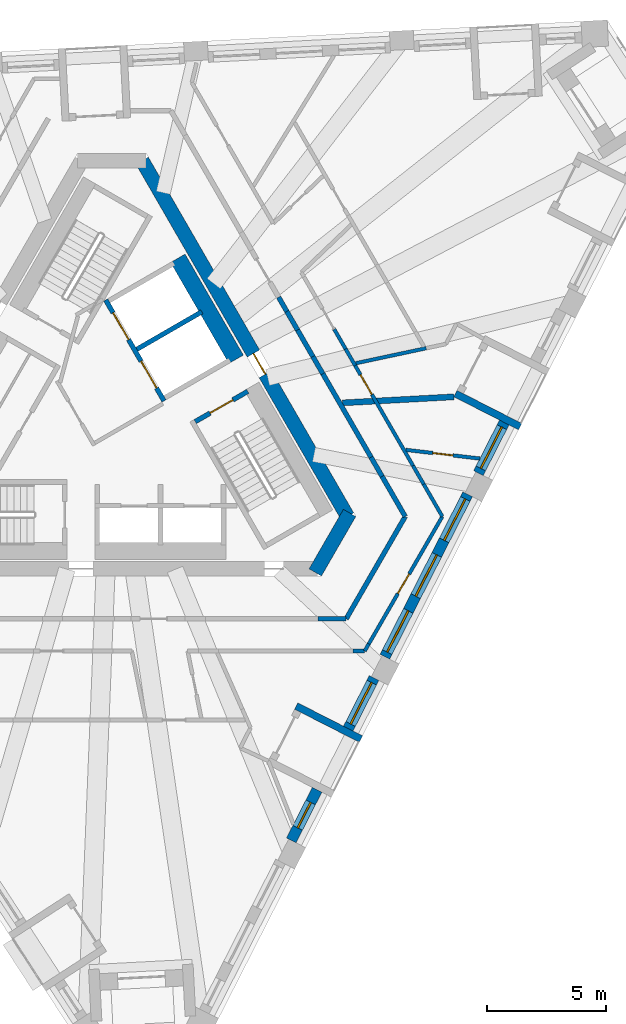
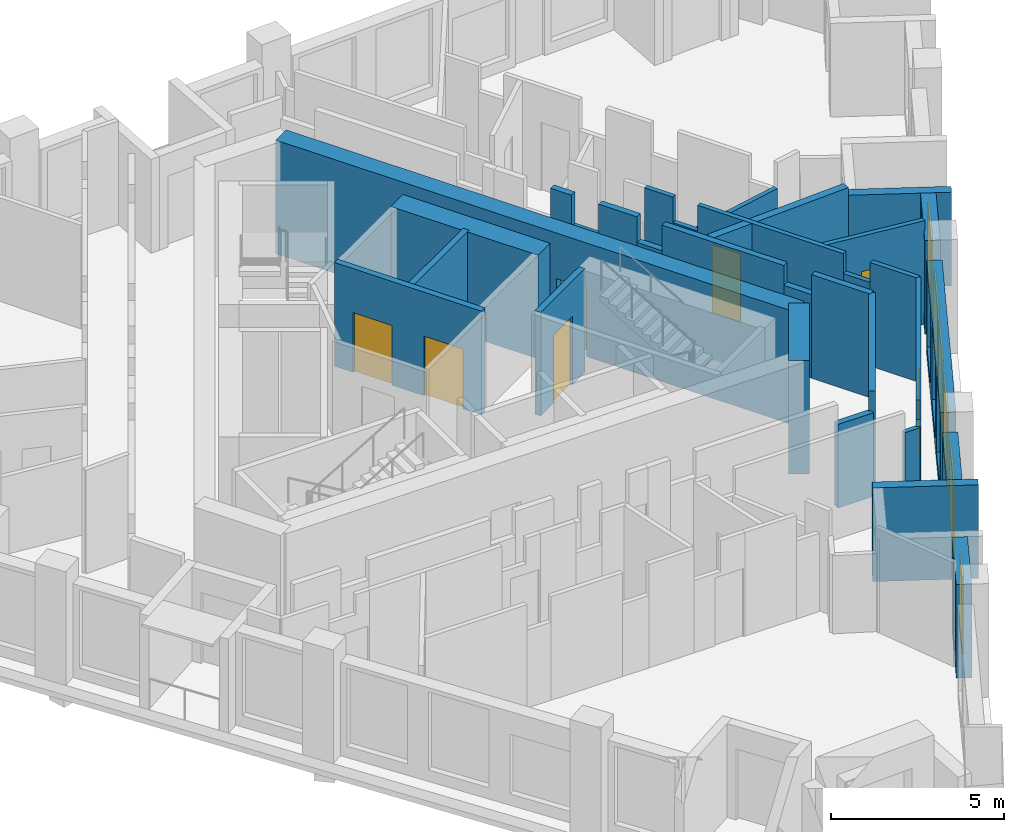
# One storey, part 5 of 12: 32 walls, 7 doors, 6 windows, 13 openings.
"""IFC4 building model written with IfcOpenShell, lengths in metres."""

import ifcopenshell
import ifcopenshell.guid

model = None  # the IFC model being written
_history = None  # IfcOwnerHistory: only IFC2X3 demands one
_inside = {}  # id of a spatial element -> (the spatial element, [elements in it])
_under = {}  # id of a project, library or spatial element -> (it, [spatial elements below it])
_declared = {}  # id of a project -> (the project, [libraries it declares])
_typed = {}  # id of a type object -> (the type object, [elements of that type])
_made_of = {}  # id of a material, layer set ... -> (it, [elements and type objects made of it])


def new_model(schema):
    """Start an empty IFC model of exactly this schema.

    Asked for "IFC4X3", IfcOpenShell would pick the latest addendum, in which some entities
    have other attributes; the version numbers below select the first issue.
    IFC2X3 requires an IfcOwnerHistory on every rooted entity: one is made here for all.
    """
    global model, _history
    if schema == "IFC4X3":
        model = ifcopenshell.file(schema_version=(4, 3, 0, 0))
    else:
        model = ifcopenshell.file(schema=schema)
    _inside.clear()
    _under.clear()
    _declared.clear()
    _typed.clear()
    _made_of.clear()
    _history = None
    if model.schema == "IFC2X3":
        org = make("IfcOrganization", Name="unknown")
        user = make(
            "IfcPersonAndOrganization",
            ThePerson=make("IfcPerson", FamilyName="unknown"),
            TheOrganization=org,
        )
        app = make(
            "IfcApplication",
            ApplicationDeveloper=org,
            Version="unknown",
            ApplicationFullName="unknown",
            ApplicationIdentifier="unknown",
        )
        _history = make(
            "IfcOwnerHistory",
            OwningUser=user,
            OwningApplication=app,
            ChangeAction="ADDED",
            CreationDate=0,
        )
    return model


def make(cls, **values):
    """One entity of the class cls with the attributes given. An attribute that is None is left unset."""
    return model.create_entity(
        cls, **{name: value for name, value in values.items() if value is not None}
    )


def rooted(cls, **values):
    """An entity with a GlobalId (a new one), such as an element, a storey or a relation."""
    return make(cls, GlobalId=ifcopenshell.guid.new(), OwnerHistory=_history, **values)


def si_unit(unit_type, name, prefix=None):
    """IfcSIUnit, for example si_unit("LENGTHUNIT", "METRE", prefix="MILLI")."""
    return make("IfcSIUnit", UnitType=unit_type, Prefix=prefix, Name=name)


def assignment(units):
    """IfcUnitAssignment: the units of a project."""
    return None if units is None else make("IfcUnitAssignment", Units=units)


def point(xyz):
    """IfcCartesianPoint."""
    return None if xyz is None else make("IfcCartesianPoint", Coordinates=xyz)


def direction(xyz):
    """IfcDirection."""
    return None if xyz is None else make("IfcDirection", DirectionRatios=xyz)


def frame(location, z_axis=None, x_axis=None):
    """IfcAxis2Placement3D, a coordinate frame: its origin and axes. An axis left out is left unset."""
    return make(
        "IfcAxis2Placement3D",
        Location=point(location),
        Axis=direction(z_axis),
        RefDirection=direction(x_axis),
    )


def frame_2d(location, x_axis=None):
    """IfcAxis2Placement2D, a coordinate frame in the plane: its origin and x axis."""
    return make(
        "IfcAxis2Placement2D", Location=point(location), RefDirection=direction(x_axis)
    )


def origin():
    """The frame at (0, 0, 0) with its axes left unset."""
    return frame((0.0, 0.0, 0.0))


def place(relative_to, where):
    """IfcLocalPlacement: puts the frame where relative to a parent placement (None: the world)."""
    return make(
        "IfcLocalPlacement", PlacementRelTo=relative_to, RelativePlacement=where
    )


def context(
    kind, dimensions, precision=None, world=None, true_north=None, identifier=None
):
    """IfcGeometricRepresentationContext, for example the 3D "Model" context."""
    return make(
        "IfcGeometricRepresentationContext",
        ContextIdentifier=identifier,
        ContextType=kind,
        CoordinateSpaceDimension=dimensions,
        Precision=precision,
        WorldCoordinateSystem=world,
        TrueNorth=true_north,
    )


def subcontext(parent, identifier, kind, view, scale=None):
    """IfcGeometricRepresentationSubContext, for example "Body" below "Model"."""
    return make(
        "IfcGeometricRepresentationSubContext",
        ContextIdentifier=identifier,
        ContextType=kind,
        ParentContext=parent,
        TargetScale=scale,
        TargetView=view,
    )


def project(units=None, contexts=None):
    """IfcProject with its units and contexts."""
    return rooted(
        "IfcProject",
        Name="project",
        RepresentationContexts=contexts,
        UnitsInContext=assignment(units),
    )


def spatial(cls, under=None, at=None, **own):
    """A site, building, storey or space (cls), placed at a placement, below another one or the project."""
    s = rooted(cls, ObjectPlacement=at, **own)
    if under is not None:
        _under.setdefault(under.id(), (under, []))[1].append(s)
    return s


def profile(cls, at=None, kind="AREA", **sizes):
    """A parametric profile (cls). Its sizes go by their IFC names, for example OverallWidth=200.0."""
    return make(cls, ProfileType=kind, Position=at, **sizes)


def rectangle(**sizes):
    """IfcRectangleProfileDef."""
    return profile("IfcRectangleProfileDef", **sizes)


def extrude(swept, where, along, depth):
    """IfcExtrudedAreaSolid: the profile swept, set in the frame where, extruded along a direction by depth."""
    return make(
        "IfcExtrudedAreaSolid",
        SweptArea=swept,
        Position=where,
        ExtrudedDirection=direction(along),
        Depth=depth,
    )


def shape(context_of_items, identifier, shape_type, items):
    """IfcShapeRepresentation: the items that make up one representation, for example the "Body"."""
    return make(
        "IfcShapeRepresentation",
        ContextOfItems=context_of_items,
        RepresentationIdentifier=identifier,
        RepresentationType=shape_type,
        Items=items,
    )


def material(Name=None, Category=None):
    """IfcMaterial."""
    return make("IfcMaterial", Name=Name, Category=Category)


def layer(
    of_material, thickness, ventilated=None, Name=None, Category=None, Priority=None
):
    """IfcMaterialLayer: one layer of a wall or slab, of a material (None: an air gap)."""
    return make(
        "IfcMaterialLayer",
        Material=of_material,
        LayerThickness=thickness,
        IsVentilated=ventilated,
        Name=Name,
        Category=Category,
        Priority=Priority,
    )


def layer_set(layers, Name=None):
    """IfcMaterialLayerSet."""
    return make("IfcMaterialLayerSet", MaterialLayers=layers, LayerSetName=Name)


def made_of(thing, what):
    """Note that an element or type object is made of a material, layer set ...; save() writes the relation."""
    if what is not None:
        _made_of.setdefault(what.id(), (what, []))[1].append(thing)
    return thing


def type_object(cls, material=None, **own):
    """A type object (cls), such as IfcWallType, which elements share."""
    return made_of(rooted(cls, **own), material)


def element(
    cls,
    number,
    at=None,
    inside=None,
    cuts=None,
    type_object=None,
    material=None,
    context=None,
    identifier="Body",
    shape_type=None,
    held_by="IfcProductDefinitionShape",
    body=None,
    shapes=None,
    **own,
):
    """One element of the class cls, such as IfcWall. Its Tag is "e" and its number.

    at: its placement. inside: the storey or other place that contains it. cuts: it is an
    opening in that element (IfcRelVoidsElement). A single representation is given by context,
    identifier, shape_type and body (its items); several are given by shapes. held_by: the class
    of the entity that holds the representations. save() writes the other relations.
    """
    e = rooted(cls, Tag="e%d" % number, ObjectPlacement=at, **own)
    if body is not None:
        shapes = [shape(context, identifier, shape_type, body)]
    if shapes is not None:
        e.Representation = make(held_by, Representations=shapes)
    if inside is not None:
        _inside.setdefault(inside.id(), (inside, []))[1].append(e)
    if cuts is not None:
        rooted(
            "IfcRelVoidsElement", RelatingBuildingElement=cuts, RelatedOpeningElement=e
        )
    if type_object is not None:
        _typed.setdefault(type_object.id(), (type_object, []))[1].append(e)
    return made_of(e, material)


def fill(opening, filler):
    """IfcRelFillsElement: the door or window that sits in an opening."""
    return rooted(
        "IfcRelFillsElement",
        RelatingOpeningElement=opening,
        RelatedBuildingElement=filler,
    )


def aggregate(whole, parts):
    """IfcRelAggregates: a whole, such as a stair, and the parts it consists of."""
    return rooted("IfcRelAggregates", RelatingObject=whole, RelatedObjects=parts)


def save(model, path):
    """Write the relations noted so far, then the file.

    IfcRelAggregates (storeys below a building ...), IfcRelContainedInSpatialStructure (elements
    in a storey), IfcRelDefinesByType, IfcRelAssociatesMaterial and IfcRelDeclares: one each for
    every whole, place, type object, material and project.
    """
    for whole, parts in _under.values():
        aggregate(whole, parts)
    for where, things in _inside.values():
        rooted(
            "IfcRelContainedInSpatialStructure",
            RelatedElements=things,
            RelatingStructure=where,
        )
    for kind, things in _typed.values():
        rooted("IfcRelDefinesByType", RelatedObjects=things, RelatingType=kind)
    for what, things in _made_of.values():
        rooted("IfcRelAssociatesMaterial", RelatedObjects=things, RelatingMaterial=what)
    for by, libraries in _declared.values():
        rooted("IfcRelDeclares", RelatingContext=by, RelatedDefinitions=libraries)
    model.write(path)


model = new_model("IFC4")

# Units and contexts
model_context = context("Model", 3, precision=1e-05, world=origin(), true_north=direction((0.0, 1.0)))
body_context = subcontext(model_context, "Body", "Model", "MODEL_VIEW")
ifc_project = project(units=[si_unit("LENGTHUNIT", "METRE"), si_unit("AREAUNIT", "SQUARE_METRE"), si_unit("VOLUMEUNIT", "CUBIC_METRE"), si_unit("PLANEANGLEUNIT", "RADIAN"), si_unit("MASSUNIT", "GRAM", prefix="KILO")], contexts=[model_context])

# Site, building, storey
site_placement = place(None, origin())
site = spatial("IfcSite", under=ifc_project, at=site_placement, CompositionType="ELEMENT")
building_placement = place(site_placement, origin())
building = spatial("IfcBuilding", under=site, at=building_placement, Name="Tramontana Tower", CompositionType="ELEMENT")
storey_placement = place(building_placement, frame((0.0, 0.0, 298.39990234375)))
storey = spatial("IfcBuildingStorey", under=building, at=storey_placement, Name="L70", CompositionType="ELEMENT", Elevation=298.39990234375)

# Wall
ifc_material_1 = material(Name="Concrete 70 MPa", Category="concrete")
ifc_layer_1 = layer(ifc_material_1, 0.60009765625)
ifc_layer_set_1 = layer_set([ifc_layer_1], Name="Core wall 600 70 MPa")
wall_type_1 = type_object("IfcWallType", Name="Core wall 600 70 MPa", PredefinedType="SHEAR", material=ifc_layer_set_1)
wall_1_placement = place(storey_placement, frame((8.544921875, -6.60009765625, 0.0), z_axis=(0.0, 0.0, 1.0), x_axis=(0.499995765644, 0.866027848477, 0.0)))
element("IfcWall", 1, at=wall_1_placement, inside=storey, type_object=wall_type_1, Name="Core wall C4 L70", PredefinedType="SHEAR", context=body_context, shape_type="SweptSolid", body=[
    extrude(rectangle(XDim=2.88671875, YDim=0.60009765625, at=frame_2d((1.443359375, 0.0))), origin(), (0.0, 0.0, 1.0), 4.0),
])

# Wall, opening, door
wall_2_placement = place(storey_placement, frame((9.901611328125, -4.25, 0.0), z_axis=(0.0, 0.0, 1.0), x_axis=(-0.499999536116, 0.866025671608, 0.0)))
wall_2 = element("IfcWall", 2, at=wall_2_placement, inside=storey, type_object=wall_type_1, Name="Core wall C5 L70", PredefinedType="SHEAR", context=body_context, shape_type="SweptSolid", body=[
    extrude(rectangle(XDim=17.2626953125, YDim=0.60009765625, at=frame_2d((8.63134765625, 0.0))), origin(), (0.0, 0.0, 1.0), 4.0),
])
opening_1_placement = place(wall_2_placement, frame((6.906494140625, 0.0, 0.0)))
opening_1 = element("IfcOpeningElement", 3, at=opening_1_placement, cuts=wall_2, Name="Opening RG3", PredefinedType="OPENING", context=body_context, shape_type="SweptSolid", body=[
    extrude(rectangle(XDim=1.0, YDim=2.39990234375, at=frame_2d((0.5, 1.199951171875))), frame((0.0, 0.31005859375, 0.0), z_axis=(0.0, -1.0, 0.0), x_axis=(1.0, 0.0, 0.0)), (0.0, 0.0, 1.0), 0.6201171875),
])
ifc_material_2 = material(Name="Painted steel", Category="steel")
door_type_1 = type_object("IfcDoorType", Name="RING DOOR 1000", OperationType="SINGLE_SWING_LEFT", PredefinedType="DOOR", material=ifc_material_2)
door_1_placement = place(opening_1_placement, origin())
door_1 = element("IfcDoor", 4, at=door_1_placement, inside=storey, type_object=door_type_1, Name="Door RG3", OperationType="SINGLE_SWING_RIGHT", OverallHeight=2.39990234375, OverallWidth=1.0, PredefinedType="DOOR", context=body_context, shape_type="SweptSolid", body=[
    extrude(rectangle(XDim=1.0, YDim=2.39990234375, at=frame_2d((0.5, 1.199951171875))), frame((0.0, 0.02490234375, 0.0), z_axis=(0.0, -1.0, 0.0), x_axis=(1.0, 0.0, 0.0)), (0.0, 0.0, 1.0), 0.050048828125),
])
fill(opening_1, door_1)

# Walls
ifc_material_3 = material(Name="Blockwork", Category="masonry")
ifc_layer_2 = layer(ifc_material_3, 0.199951171875)
ifc_layer_set_2 = layer_set([ifc_layer_2], Name="ENTRY WALL 200")
wall_type_2 = type_object("IfcWallType", Name="ENTRY WALL 200", PredefinedType="SOLIDWALL", material=ifc_layer_set_2)
wall_3_placement = place(storey_placement, frame((12.326416015625, -4.25, 0.0), z_axis=(0.0, 0.0, 1.0), x_axis=(-0.50000478328, -0.866022642139, 0.0)))
element("IfcWall", 5, at=wall_3_placement, inside=storey, type_object=wall_type_2, Name="Wall v72-ew0", PredefinedType="SOLIDWALL", context=body_context, shape_type="SweptSolid", body=[
    extrude(rectangle(XDim=4.96533203125, YDim=0.199951171875, at=frame_2d((2.482666015625, 0.0))), origin(), (0.0, 0.0, 1.0), 3.650146484375),
])
wall_4_placement = place(storey_placement, frame((9.84375, -8.550048828125, 0.0), z_axis=(0.0, 0.0, 1.0), x_axis=(-1.0, 0.0, 0.0)))
element("IfcWall", 6, at=wall_4_placement, inside=storey, type_object=wall_type_2, Name="Wall v72-ew1-0", PredefinedType="SOLIDWALL", context=body_context, shape_type="SweptSolid", body=[
    extrude(rectangle(XDim=1.1884765625, YDim=0.199951171875, at=frame_2d((0.59423828125, 0.0))), origin(), (0.0, 0.0, 1.0), 2.9501953125),
])
wall_5_placement = place(storey_placement, frame((7.0068359375, 4.963623046875, 0.0), z_axis=(0.0, 0.0, 1.0), x_axis=(0.499977339252, -0.866038486578, 0.0)))
element("IfcWall", 7, at=wall_5_placement, inside=storey, type_object=wall_type_2, Name="Wall v72-ew5-5", PredefinedType="SOLIDWALL", context=body_context, shape_type="SweptSolid", body=[
    extrude(rectangle(XDim=0.69091796875, YDim=0.199951171875, at=frame_2d((0.345458984375, 0.0))), origin(), (0.0, 0.0, 1.0), 3.650146484375),
])
wall_6_placement = place(storey_placement, frame((7.352294921875, 4.365234375, 0.0), z_axis=(0.0, 0.0, 1.0), x_axis=(0.500074377092, -0.865982457891, 0.0)))
element("IfcWall", 8, at=wall_6_placement, inside=storey, type_object=wall_type_2, Name="Wall v72-ew5-6", PredefinedType="SOLIDWALL", context=body_context, shape_type="SweptSolid", body=[
    extrude(rectangle(XDim=0.900634765625, YDim=0.199951171875, at=frame_2d((0.4501953125, 0.0))), origin(), (0.0, 0.0, 1.0), 2.550048828125),
])
wall_7_placement = place(storey_placement, frame((7.802734375, 3.585205078125, 0.0), z_axis=(0.0, 0.0, 1.0), x_axis=(0.500018234033, -0.866014876105, 0.0)))
element("IfcWall", 9, at=wall_7_placement, inside=storey, type_object=wall_type_2, Name="Wall v72-ew5-7", PredefinedType="SOLIDWALL", context=body_context, shape_type="SweptSolid", body=[
    extrude(rectangle(XDim=1.2861328125, YDim=0.199951171875, at=frame_2d((0.64306640625, 0.0))), origin(), (0.0, 0.0, 1.0), 3.650146484375),
])
wall_8_placement = place(storey_placement, frame((8.44580078125, 2.471435546875, 0.0), z_axis=(0.0, 0.0, 1.0), x_axis=(0.499950631041, -0.86605390509, 0.0)))
element("IfcWall", 10, at=wall_8_placement, inside=storey, type_object=wall_type_2, Name="Wall v72-ew5-8", PredefinedType="SOLIDWALL", context=body_context, shape_type="SweptSolid", body=[
    extrude(rectangle(XDim=0.83349609375, YDim=0.199951171875, at=frame_2d((0.416748046875, 0.0))), origin(), (0.0, 0.0, 1.0), 2.75),
])
wall_9_placement = place(storey_placement, frame((8.862548828125, 1.74951171875, 0.0), z_axis=(0.0, 0.0, 1.0), x_axis=(0.500007556608, -0.866021040931, 0.0)))
element("IfcWall", 11, at=wall_9_placement, inside=storey, type_object=wall_type_2, Name="Wall v72-ew5-9", PredefinedType="SOLIDWALL", context=body_context, shape_type="SweptSolid", body=[
    extrude(rectangle(XDim=4.05224609375, YDim=0.199951171875, at=frame_2d((2.026123046875, 0.0))), origin(), (0.0, 0.0, 1.0), 3.650146484375),
])
wall_10_placement = place(storey_placement, frame((10.888671875, -1.759765625, 0.0), z_axis=(0.0, 0.0, 1.0), x_axis=(0.500102178127, -0.865966403178, 0.0)))
element("IfcWall", 12, at=wall_10_placement, inside=storey, type_object=wall_type_2, Name="Wall v72-ew5-10", PredefinedType="SOLIDWALL", context=body_context, shape_type="SweptSolid", body=[
    extrude(rectangle(XDim=0.927490234375, YDim=0.199951171875, at=frame_2d((0.4638671875, 0.0))), origin(), (0.0, 0.0, 1.0), 2.9501953125),
])
wall_11_placement = place(storey_placement, frame((11.3525390625, -2.56298828125, 0.0), z_axis=(0.0, 0.0, 1.0), x_axis=(0.499953905513, -0.866052014814, 0.0)))
element("IfcWall", 13, at=wall_11_placement, inside=storey, type_object=wall_type_2, Name="Wall v72-ew5-11", PredefinedType="SOLIDWALL", context=body_context, shape_type="SweptSolid", body=[
    extrude(rectangle(XDim=1.947998046875, YDim=0.199951171875, at=frame_2d((0.97412109375, 0.0))), origin(), (0.0, 0.0, 1.0), 3.650146484375),
])

# Wall, opening, window
ifc_material_4 = material(Name="Precast concrete 60 MPa", Category="concrete")
ifc_layer_3 = layer(ifc_material_4, 0.449951171875)
ifc_layer_set_3 = layer_set([ifc_layer_3], Name="Precast concrete 60 MPa, 450 mm")
wall_type_3 = type_object("IfcWallType", Name="EW1 Stone-faced precast wall 450", PredefinedType="SOLIDWALL", material=ifc_layer_set_3)
wall_12_placement = place(storey_placement, frame((7.53857421875, -17.859375, 0.0), z_axis=(0.0, 0.0, 1.0), x_axis=(0.454074413722, 0.890963762901, 0.0)))
wall_12 = element("IfcWall", 14, at=wall_12_placement, inside=storey, type_object=wall_type_3, Name="External wall L70 face 1 bay 2", PredefinedType="SOLIDWALL", context=body_context, shape_type="SweptSolid", body=[
    extrude(rectangle(XDim=2.38671875, YDim=0.449951171875, at=frame_2d((1.193359375, 0.0))), origin(), (0.0, 0.0, 1.0), 3.300048828125),
])
opening_2_placement = place(wall_12_placement, frame((0.59326171875, 0.0, 0.39990234375)))
opening_2 = element("IfcOpeningElement", 15, at=opening_2_placement, cuts=wall_12, Name="Opening N3", PredefinedType="OPENING", context=body_context, shape_type="SweptSolid", body=[
    extrude(rectangle(XDim=1.199951171875, YDim=2.75, at=frame_2d((0.60009765625, 1.375))), frame((0.0, 0.23486328125, 0.0), z_axis=(0.0, -1.0, 0.0), x_axis=(1.0, 0.0, 0.0)), (0.0, 0.0, 1.0), 0.469970703125),
])
ifc_material_5 = material(Name="Aluminum frame, double glazing unit", Category="aluminium")
window_type_1 = type_object("IfcWindowType", Name="N3 Window 1.2 x 2.75", PartitioningType="SINGLE_PANEL", PredefinedType="WINDOW", material=ifc_material_5)
window_1_placement = place(opening_2_placement, origin())
window_1 = element("IfcWindow", 16, at=window_1_placement, inside=storey, type_object=window_type_1, Name="Window N3 L70 face 1 module 4", OverallHeight=2.75, OverallWidth=1.199951171875, PartitioningType="SINGLE_PANEL", PredefinedType="WINDOW", context=body_context, shape_type="SweptSolid", body=[
    extrude(rectangle(XDim=1.199951171875, YDim=2.75, at=frame_2d((0.60009765625, 1.375))), frame((0.0, 0.030029296875, 0.0), z_axis=(0.0, -1.0, 0.0), x_axis=(1.0, 0.0, 0.0)), (0.0, 0.0, 1.0), 0.06005859375),
])
fill(opening_2, window_1)

wall_13_placement = place(storey_placement, frame((9.932861328125, -13.16064453125, 0.0), z_axis=(0.0, 0.0, 1.0), x_axis=(0.453993206954, 0.891005144788, 0.0)))
wall_13 = element("IfcWall", 17, at=wall_13_placement, inside=storey, type_object=wall_type_3, Name="External wall L70 face 1 bay 2", PredefinedType="SOLIDWALL", context=body_context, shape_type="SweptSolid", body=[
    extrude(rectangle(XDim=2.386474609375, YDim=0.449951171875, at=frame_2d((1.193359375, 0.0))), origin(), (0.0, 0.0, 1.0), 3.300048828125),
])
opening_3_placement = place(wall_13_placement, frame((0.21826171875, 0.0, 0.39990234375)))
opening_3 = element("IfcOpeningElement", 18, at=opening_3_placement, cuts=wall_13, Name="Opening M3", PredefinedType="OPENING", context=body_context, shape_type="SweptSolid", body=[
    extrude(rectangle(XDim=1.949951171875, YDim=2.75, at=frame_2d((0.97509765625, 1.375))), frame((0.0, 0.23486328125, 0.0), z_axis=(0.0, -1.0, 0.0), x_axis=(1.0, 0.0, 0.0)), (0.0, 0.0, 1.0), 0.469970703125),
])
ifc_material_6 = material(Name="Aluminum frame, double glazing unit", Category="aluminium")
window_type_2 = type_object("IfcWindowType", Name="M3 Window 1.95 x 2.75", PartitioningType="SINGLE_PANEL", PredefinedType="WINDOW", material=ifc_material_6)
window_2_placement = place(opening_3_placement, origin())
window_2 = element("IfcWindow", 19, at=window_2_placement, inside=storey, type_object=window_type_2, Name="Window M3 L70 face 1 module 6", OverallHeight=2.75, OverallWidth=1.949951171875, PartitioningType="SINGLE_PANEL", PredefinedType="WINDOW", context=body_context, shape_type="SweptSolid", body=[
    extrude(rectangle(XDim=1.949951171875, YDim=2.75, at=frame_2d((0.97509765625, 1.375))), frame((0.0, 0.030029296875, 0.0), z_axis=(0.0, -1.0, 0.0), x_axis=(1.0, 0.0, 0.0)), (0.0, 0.0, 1.0), 0.06005859375),
])
fill(opening_3, window_2)

# Wall, openings, windows
wall_14_placement = place(storey_placement, frame((11.47021484375, -10.14306640625, 0.0), z_axis=(0.0, 0.0, 1.0), x_axis=(0.453995484395, 0.891003984362, 0.0)))
wall_14 = element("IfcWall", 20, at=wall_14_placement, inside=storey, type_object=wall_type_3, Name="External wall L70 face 1 bay 3", PredefinedType="SOLIDWALL", context=body_context, shape_type="SweptSolid", body=[
    extrude(rectangle(XDim=7.660400390625, YDim=0.449951171875, at=frame_2d((3.830078125, 0.0))), origin(), (0.0, 0.0, 1.0), 3.300048828125),
])
opening_4_placement = place(wall_14_placement, frame((0.21826171875, 0.0, 0.39990234375)))
opening_4 = element("IfcOpeningElement", 21, at=opening_4_placement, cuts=wall_14, Name="Opening M3", PredefinedType="OPENING", context=body_context, shape_type="SweptSolid", body=[
    extrude(rectangle(XDim=1.949951171875, YDim=2.75, at=frame_2d((0.97509765625, 1.375))), frame((0.0, 0.23486328125, 0.0), z_axis=(0.0, -1.0, 0.0), x_axis=(1.0, 0.0, 0.0)), (0.0, 0.0, 1.0), 0.469970703125),
])
opening_5_placement = place(wall_14_placement, frame((2.855224609375, 0.0, 0.39990234375)))
opening_5 = element("IfcOpeningElement", 22, at=opening_5_placement, cuts=wall_14, Name="Opening M3", PredefinedType="OPENING", context=body_context, shape_type="SweptSolid", body=[
    extrude(rectangle(XDim=1.949951171875, YDim=2.75, at=frame_2d((0.97509765625, 1.375))), frame((0.0, 0.23486328125, 0.0), z_axis=(0.0, -1.0, 0.0), x_axis=(1.0, 0.0, 0.0)), (0.0, 0.0, 1.0), 0.469970703125),
])
opening_6_placement = place(wall_14_placement, frame((5.491943359375, 0.0, 0.39990234375)))
opening_6 = element("IfcOpeningElement", 23, at=opening_6_placement, cuts=wall_14, Name="Opening M3", PredefinedType="OPENING", context=body_context, shape_type="SweptSolid", body=[
    extrude(rectangle(XDim=1.949951171875, YDim=2.75, at=frame_2d((0.97509765625, 1.375))), frame((0.0, 0.23486328125, 0.0), z_axis=(0.0, -1.0, 0.0), x_axis=(1.0, 0.0, 0.0)), (0.0, 0.0, 1.0), 0.469970703125),
])
window_3_placement = place(opening_4_placement, origin())
window_3 = element("IfcWindow", 24, at=window_3_placement, inside=storey, type_object=window_type_2, Name="Window M3 L70 face 1 module 7", OverallHeight=2.75, OverallWidth=1.949951171875, PartitioningType="SINGLE_PANEL", PredefinedType="WINDOW", context=body_context, shape_type="SweptSolid", body=[
    extrude(rectangle(XDim=1.949951171875, YDim=2.75, at=frame_2d((0.97509765625, 1.375))), frame((0.0, 0.030029296875, 0.0), z_axis=(0.0, -1.0, 0.0), x_axis=(1.0, 0.0, 0.0)), (0.0, 0.0, 1.0), 0.06005859375),
])
fill(opening_4, window_3)
window_4_placement = place(opening_5_placement, origin())
window_4 = element("IfcWindow", 25, at=window_4_placement, inside=storey, type_object=window_type_2, Name="Window M3 L70 face 1 module 8", OverallHeight=2.75, OverallWidth=1.949951171875, PartitioningType="SINGLE_PANEL", PredefinedType="WINDOW", context=body_context, shape_type="SweptSolid", body=[
    extrude(rectangle(XDim=1.949951171875, YDim=2.75, at=frame_2d((0.97509765625, 1.375))), frame((0.0, 0.030029296875, 0.0), z_axis=(0.0, -1.0, 0.0), x_axis=(1.0, 0.0, 0.0)), (0.0, 0.0, 1.0), 0.06005859375),
])
fill(opening_5, window_4)
window_5_placement = place(opening_6_placement, origin())
window_5 = element("IfcWindow", 26, at=window_5_placement, inside=storey, type_object=window_type_2, Name="Window M3 L70 face 1 module 9", OverallHeight=2.75, OverallWidth=1.949951171875, PartitioningType="SINGLE_PANEL", PredefinedType="WINDOW", context=body_context, shape_type="SweptSolid", body=[
    extrude(rectangle(XDim=1.949951171875, YDim=2.75, at=frame_2d((0.97509765625, 1.375))), frame((0.0, 0.030029296875, 0.0), z_axis=(0.0, -1.0, 0.0), x_axis=(1.0, 0.0, 0.0)), (0.0, 0.0, 1.0), 0.06005859375),
])
fill(opening_6, window_5)

# Wall, opening, window
wall_15_placement = place(storey_placement, frame((15.402099609375, -2.4267578125, 0.0), z_axis=(0.0, 0.0, 1.0), x_axis=(0.453951830128, 0.891026226283, 0.0)))
wall_15 = element("IfcWall", 27, at=wall_15_placement, inside=storey, type_object=wall_type_3, Name="External wall L70 face 1 bay 4", PredefinedType="SOLIDWALL", context=body_context, shape_type="SweptSolid", body=[
    extrude(rectangle(XDim=2.38671875, YDim=0.449951171875, at=frame_2d((1.193359375, 0.0))), origin(), (0.0, 0.0, 1.0), 3.300048828125),
])
opening_7_placement = place(wall_15_placement, frame((0.21826171875, 0.0, 0.39990234375)))
opening_7 = element("IfcOpeningElement", 28, at=opening_7_placement, cuts=wall_15, Name="Opening M3", PredefinedType="OPENING", context=body_context, shape_type="SweptSolid", body=[
    extrude(rectangle(XDim=1.949951171875, YDim=2.75, at=frame_2d((0.97509765625, 1.375))), frame((0.0, 0.23486328125, 0.0), z_axis=(0.0, -1.0, 0.0), x_axis=(1.0, 0.0, 0.0)), (0.0, 0.0, 1.0), 0.469970703125),
])
window_6_placement = place(opening_7_placement, origin())
window_6 = element("IfcWindow", 29, at=window_6_placement, inside=storey, type_object=window_type_2, Name="Window M3 L70 face 1 module 10", OverallHeight=2.75, OverallWidth=1.949951171875, PartitioningType="SINGLE_PANEL", PredefinedType="WINDOW", context=body_context, shape_type="SweptSolid", body=[
    extrude(rectangle(XDim=1.949951171875, YDim=2.75, at=frame_2d((0.97509765625, 1.375))), frame((0.0, 0.030029296875, 0.0), z_axis=(0.0, -1.0, 0.0), x_axis=(1.0, 0.0, 0.0)), (0.0, 0.0, 1.0), 0.06005859375),
])
fill(opening_7, window_6)

# Walls
ifc_material_7 = material(Name="Precast concrete 60 MPa", Category="concrete")
ifc_layer_4 = layer(ifc_material_7, 0.300048828125)
ifc_layer_set_4 = layer_set([ifc_layer_4], Name="LW1 Stone-faced loggia wall 300")
wall_type_4 = type_object("IfcWallType", Name="LW1 Stone-faced loggia wall 300", PredefinedType="SOLIDWALL", material=ifc_layer_set_4)
for number, where, z_axis, x_axis, name in (
    (30, (10.466064453125, -13.600830078125, 0.0), (0.0, 0.0, 1.0), (-0.890991233495, 0.454020508165, 0.0), "Loggia return L70 G7S1.4b"),
    (31, (17.155029296875, -0.472900390625, 0.0), (0.0, 0.0, 1.0), (-0.890991233495, 0.454020508165, 0.0), "Loggia return L70 G7S1.10a"),
):
    element("IfcWall", number, at=place(storey_placement, frame(where, z_axis=z_axis, x_axis=x_axis)), inside=storey, type_object=wall_type_4, Name=name, PredefinedType="SOLIDWALL", context=body_context, shape_type="SweptSolid", body=[
        extrude(rectangle(XDim=3.050048828125, YDim=0.300048828125, at=frame_2d((1.52490234375, 0.0))), origin(), (0.0, 0.0, 1.0), 3.300048828125),
    ])
ifc_material_8 = material(Name="Gypsum board partition")
ifc_layer_5 = layer(ifc_material_8, 0.14990234375)
ifc_layer_set_5 = layer_set([ifc_layer_5], Name="PARTITION 150")
wall_type_5 = type_object("IfcWallType", Name="PARTITION 150", PredefinedType="PARTITIONING", material=ifc_layer_set_5)
wall_16_placement = place(storey_placement, frame((9.34326171875, 3.616943359375, 0.0), z_axis=(0.0, 0.0, 1.0), x_axis=(0.500115051963, -0.865958968312, 0.0)))
element("IfcWall", 32, at=wall_16_placement, inside=storey, type_object=wall_type_5, Name="Wall v72-pw27-3", PredefinedType="PARTITIONING", context=body_context, shape_type="SweptSolid", body=[
    extrude(rectangle(XDim=0.950927734375, YDim=0.14990234375, at=frame_2d((0.4755859375, 0.0))), origin(), (0.0, 0.0, 1.0), 3.650146484375),
])
wall_17_placement = place(storey_placement, frame((9.81884765625, 2.79345703125, 0.0), z_axis=(0.0, 0.0, 1.0), x_axis=(0.499748625964, -0.866170486017, 0.0)))
element("IfcWall", 33, at=wall_17_placement, inside=storey, type_object=wall_type_5, Name="Wall v72-pw27-4", PredefinedType="PARTITIONING", context=body_context, shape_type="SweptSolid", body=[
    extrude(rectangle(XDim=0.8076171875, YDim=0.14990234375, at=frame_2d((0.40380859375, 0.0))), origin(), (0.0, 0.0, 1.0), 2.75),
])

# Wall, opening, door
wall_18_placement = place(storey_placement, frame((10.222412109375, 2.093994140625, 0.0), z_axis=(0.0, 0.0, 1.0), x_axis=(0.500012305324, -0.866018299186, 0.0)))
wall_18 = element("IfcWall", 34, at=wall_18_placement, inside=storey, type_object=wall_type_5, Name="Wall v72-pw27-5", PredefinedType="PARTITIONING", context=body_context, shape_type="SweptSolid", body=[
    extrude(rectangle(XDim=4.86083984375, YDim=0.14990234375, at=frame_2d((2.430419921875, 0.0))), origin(), (0.0, 0.0, 1.0), 3.650146484375),
])
opening_8_placement = place(wall_18_placement, frame((0.45263671875, 0.0, 0.0)))
opening_8 = element("IfcOpeningElement", 35, at=opening_8_placement, cuts=wall_18, Name="Opening B7C-15", PredefinedType="OPENING", context=body_context, shape_type="SweptSolid", body=[
    extrude(rectangle(XDim=0.949951171875, YDim=2.39990234375, at=frame_2d((0.47509765625, 1.199951171875))), frame((0.0, 0.0849609375, 0.0), z_axis=(0.0, -1.0, 0.0), x_axis=(1.0, 0.0, 0.0)), (0.0, 0.0, 1.0), 0.169921875),
])
ifc_material_9 = material(Name="Painted timber", Category="wood")
door_type_2 = type_object("IfcDoorType", Name="DOOR ROOM 950", OperationType="SINGLE_SWING_LEFT", PredefinedType="DOOR", material=ifc_material_9)
door_2_placement = place(opening_8_placement, origin())
door_2 = element("IfcDoor", 36, at=door_2_placement, inside=storey, type_object=door_type_2, Name="Door B7C-15", OperationType="SINGLE_SWING_LEFT", OverallHeight=2.39990234375, OverallWidth=0.949951171875, PredefinedType="DOOR", context=body_context, shape_type="SweptSolid", body=[
    extrude(rectangle(XDim=0.949951171875, YDim=2.39990234375, at=frame_2d((0.47509765625, 1.199951171875))), frame((0.0, 0.02490234375, 0.0), z_axis=(0.0, -1.0, 0.0), x_axis=(1.0, 0.0, 0.0)), (0.0, 0.0, 1.0), 0.050048828125),
])
fill(opening_8, door_2)

# Walls
wall_19_placement = place(storey_placement, frame((12.65283203125, -2.115478515625, 0.0), z_axis=(0.0, 0.0, 1.0), x_axis=(0.500132045864, -0.865949153646, 0.0)))
element("IfcWall", 37, at=wall_19_placement, inside=storey, type_object=wall_type_5, Name="Wall v72-pw27-6", PredefinedType="PARTITIONING", context=body_context, shape_type="SweptSolid", body=[
    extrude(rectangle(XDim=0.894287109375, YDim=0.14990234375, at=frame_2d((0.447265625, 0.0))), origin(), (0.0, 0.0, 1.0), 2.9501953125),
])
wall_20_placement = place(storey_placement, frame((13.10009765625, -2.889892578125, 0.0), z_axis=(0.0, 0.0, 1.0), x_axis=(0.499951222523, -0.866053563643, 0.0)))
element("IfcWall", 38, at=wall_20_placement, inside=storey, type_object=wall_type_5, Name="Wall v72-pw27-7", PredefinedType="PARTITIONING", context=body_context, shape_type="SweptSolid", body=[
    extrude(rectangle(XDim=1.570556640625, YDim=0.14990234375, at=frame_2d((0.78515625, 0.0))), origin(), (0.0, 0.0, 1.0), 3.650146484375),
])
wall_21_placement = place(storey_placement, frame((10.623291015625, -9.89990234375, 0.0), z_axis=(0.0, 0.0, 1.0), x_axis=(-1.0, 0.0, 0.0)))
element("IfcWall", 39, at=wall_21_placement, inside=storey, type_object=wall_type_5, Name="Wall v72-pw30-0", PredefinedType="PARTITIONING", context=body_context, shape_type="SweptSolid", body=[
    extrude(rectangle(XDim=0.501953125, YDim=0.14990234375, at=frame_2d((0.2509765625, 0.0))), origin(), (0.0, 0.0, 1.0), 2.9501953125),
])

# Wall, opening, door
wall_22_placement = place(storey_placement, frame((13.88525390625, -4.25, 0.0), z_axis=(0.0, 0.0, 1.0), x_axis=(-0.500003887042, -0.866023159588, 0.0)))
wall_22 = element("IfcWall", 40, at=wall_22_placement, inside=storey, type_object=wall_type_5, Name="Wall v72-pw31-0", PredefinedType="PARTITIONING", context=body_context, shape_type="SweptSolid", body=[
    extrude(rectangle(XDim=6.1826171875, YDim=0.14990234375, at=frame_2d((3.09130859375, 0.0))), origin(), (0.0, 0.0, 1.0), 3.650146484375),
])
opening_9_placement = place(wall_22_placement, frame((2.787109375, 0.0, 0.0)))
opening_9 = element("IfcOpeningElement", 41, at=opening_9_placement, cuts=wall_22, Name="Opening B7C-10", PredefinedType="OPENING", context=body_context, shape_type="SweptSolid", body=[
    extrude(rectangle(XDim=0.949951171875, YDim=2.39990234375, at=frame_2d((0.47509765625, 1.199951171875))), frame((0.0, 0.0849609375, 0.0), z_axis=(0.0, -1.0, 0.0), x_axis=(1.0, 0.0, 0.0)), (0.0, 0.0, 1.0), 0.169921875),
])
door_3_placement = place(opening_9_placement, origin())
door_3 = element("IfcDoor", 42, at=door_3_placement, inside=storey, type_object=door_type_2, Name="Door B7C-10", OperationType="SINGLE_SWING_RIGHT", OverallHeight=2.39990234375, OverallWidth=0.949951171875, PredefinedType="DOOR", context=body_context, shape_type="SweptSolid", body=[
    extrude(rectangle(XDim=0.949951171875, YDim=2.39990234375, at=frame_2d((0.47509765625, 1.199951171875))), frame((0.0, 0.02490234375, 0.0), z_axis=(0.0, -1.0, 0.0), x_axis=(1.0, 0.0, 0.0)), (0.0, 0.0, 1.0), 0.050048828125),
])
fill(opening_9, door_3)

# Walls
wall_23_placement = place(storey_placement, frame((10.7939453125, -9.604248046875, 0.0), z_axis=(0.0, 0.0, 1.0), x_axis=(-0.499908181442, -0.866078408764, 0.0)))
element("IfcWall", 43, at=wall_23_placement, inside=storey, type_object=wall_type_5, Name="Wall v72-pw31-1", PredefinedType="PARTITIONING", context=body_context, shape_type="SweptSolid", body=[
    extrude(rectangle(XDim=0.34130859375, YDim=0.14990234375, at=frame_2d((0.170654296875, 0.0))), origin(), (0.0, 0.0, 1.0), 2.9501953125),
])
wall_24_placement = place(storey_placement, frame((13.20458984375, 2.8212890625, 0.0), z_axis=(0.0, 0.0, 1.0), x_axis=(-0.977923010203, -0.208965514176, 0.0)))
element("IfcWall", 44, at=wall_24_placement, inside=storey, type_object=wall_type_5, Name="Wall v72-pw32-1", PredefinedType="PARTITIONING", context=body_context, shape_type="SweptSolid", body=[
    extrude(rectangle(XDim=3.017822265625, YDim=0.14990234375, at=frame_2d((1.5087890625, 0.0))), origin(), (0.0, 0.0, 1.0), 2.75),
])

# Wall, opening, door
wall_25_placement = place(storey_placement, frame((12.35546875, -1.4501953125, 0.0), z_axis=(0.0, 0.0, 1.0), x_axis=(0.993183074632, -0.116564918672, 0.0)))
wall_25 = element("IfcWall", 45, at=wall_25_placement, inside=storey, type_object=wall_type_5, Name="Wall v72-pw34", PredefinedType="PARTITIONING", context=body_context, shape_type="SweptSolid", body=[
    extrude(rectangle(XDim=3.126953125, YDim=0.14990234375, at=frame_2d((1.5634765625, 0.0))), origin(), (0.0, 0.0, 1.0), 3.650146484375),
])
opening_10_placement = place(wall_25_placement, frame((1.138671875, 0.0, 0.0)))
opening_10 = element("IfcOpeningElement", 46, at=opening_10_placement, cuts=wall_25, Name="Opening B7C-11", PredefinedType="OPENING", context=body_context, shape_type="SweptSolid", body=[
    extrude(rectangle(XDim=0.85009765625, YDim=2.39990234375, at=frame_2d((0.425048828125, 1.199951171875))), frame((0.0, 0.0849609375, 0.0), z_axis=(0.0, -1.0, 0.0), x_axis=(1.0, 0.0, 0.0)), (0.0, 0.0, 1.0), 0.169921875),
])
ifc_material_10 = material(Name="Painted timber", Category="wood")
door_type_3 = type_object("IfcDoorType", Name="DOOR BATH 850", OperationType="SINGLE_SWING_LEFT", PredefinedType="DOOR", material=ifc_material_10)
door_4_placement = place(opening_10_placement, origin())
door_4 = element("IfcDoor", 47, at=door_4_placement, inside=storey, type_object=door_type_3, Name="Door B7C-11", OperationType="SINGLE_SWING_LEFT", OverallHeight=2.39990234375, OverallWidth=0.85009765625, PredefinedType="DOOR", context=body_context, shape_type="SweptSolid", body=[
    extrude(rectangle(XDim=0.85009765625, YDim=2.39990234375, at=frame_2d((0.425048828125, 1.199951171875))), frame((0.0, 0.02490234375, 0.0), z_axis=(0.0, -1.0, 0.0), x_axis=(1.0, 0.0, 0.0)), (0.0, 0.0, 1.0), 0.050048828125),
])
fill(opening_10, door_4)

# Walls
ifc_material_11 = material(Name="Blockwork", Category="masonry")
ifc_layer_6 = layer(ifc_material_11, 0.25)
ifc_layer_set_6 = layer_set([ifc_layer_6], Name="PARTY WALL 250")
wall_type_6 = type_object("IfcWallType", Name="PARTY WALL 250", PredefinedType="SOLIDWALL", material=ifc_layer_set_6)
wall_26_placement = place(storey_placement, frame((9.685302734375, 0.5244140625, 0.0), z_axis=(0.0, 0.0, 1.0), x_axis=(0.998536885646, 0.054074837078, 0.0)))
element("IfcWall", 48, at=wall_26_placement, inside=storey, type_object=wall_type_6, Name="Wall v72-pw28", PredefinedType="SOLIDWALL", context=body_context, shape_type="SweptSolid", body=[
    extrude(rectangle(XDim=4.69091796875, YDim=0.25, at=frame_2d((2.345458984375, 0.0))), origin(), (0.0, 0.0, 1.0), 3.650146484375),
])
ifc_material_12 = material(Name="Concrete 70 MPa", Category="concrete")
ifc_layer_7 = layer(ifc_material_12, 0.699951171875)
ifc_layer_set_7 = layer_set([ifc_layer_7], Name="Concrete 70 MPa, 700 mm")
wall_type_7 = type_object("IfcWallType", Name="RC SHAFT BACK WALL 700", PredefinedType="SOLIDWALL", material=ifc_layer_set_7)
wall_27_placement = place(storey_placement, frame((5.221435546875, 2.3564453125, 0.0), z_axis=(0.0, 0.0, 1.0), x_axis=(-0.500040169509, 0.866002210665, 0.0)))
element("IfcWall", 49, at=wall_27_placement, inside=storey, type_object=wall_type_7, Name="Wall row2-back", PredefinedType="SOLIDWALL", context=body_context, shape_type="SweptSolid", body=[
    extrude(rectangle(XDim=4.89990234375, YDim=0.699951171875, at=frame_2d((2.449951171875, 0.0))), origin(), (0.0, 0.0, 1.0), 3.650146484375),
])

# Wall, opening, door
ifc_material_13 = material(Name="Concrete 70 MPa", Category="concrete")
ifc_layer_8 = layer(ifc_material_13, 0.199951171875)
ifc_layer_set_8 = layer_set([ifc_layer_8], Name="Concrete 70 MPa, 200 mm")
wall_type_8 = type_object("IfcWallType", Name="RC STAIR AND SHAFT WALL 200", PredefinedType="SOLIDWALL", material=ifc_layer_set_8)
wall_28_placement = place(storey_placement, frame((3.50146484375, -0.2646484375, 0.0), z_axis=(0.0, 0.0, 1.0), x_axis=(0.866030925526, 0.499990435942, 0.0)))
wall_28 = element("IfcWall", 50, at=wall_28_placement, inside=storey, type_object=wall_type_8, Name="Wall st3-near", PredefinedType="SOLIDWALL", context=body_context, shape_type="SweptSolid", body=[
    extrude(rectangle(XDim=2.5498046875, YDim=0.199951171875, at=frame_2d((1.27490234375, 0.0))), origin(), (0.0, 0.0, 1.0), 3.650146484375),
])
opening_11_placement = place(wall_28_placement, frame((0.72509765625, 0.0, 0.0)))
opening_11 = element("IfcOpeningElement", 51, at=opening_11_placement, cuts=wall_28, Name="Opening SD3", PredefinedType="OPENING", context=body_context, shape_type="SweptSolid", body=[
    extrude(rectangle(XDim=1.10009765625, YDim=2.39990234375, at=frame_2d((0.550048828125, 1.199951171875))), frame((0.0, 0.10986328125, 0.0), z_axis=(0.0, -1.0, 0.0), x_axis=(1.0, 0.0, 0.0)), (0.0, 0.0, 1.0), 0.219970703125),
])
ifc_material_14 = material(Name="Painted steel", Category="steel")
door_type_4 = type_object("IfcDoorType", Name="STAIR DOOR 1100", OperationType="SINGLE_SWING_LEFT", PredefinedType="DOOR", material=ifc_material_14)
door_5_placement = place(opening_11_placement, origin())
door_5 = element("IfcDoor", 52, at=door_5_placement, inside=storey, type_object=door_type_4, Name="Door SD3", OperationType="SINGLE_SWING_RIGHT", OverallHeight=2.39990234375, OverallWidth=1.10009765625, PredefinedType="DOOR", context=body_context, shape_type="SweptSolid", body=[
    extrude(rectangle(XDim=1.10009765625, YDim=2.39990234375, at=frame_2d((0.550048828125, 1.199951171875))), frame((0.0, 0.02490234375, 0.0), z_axis=(0.0, -1.0, 0.0), x_axis=(1.0, 0.0, 0.0)), (0.0, 0.0, 1.0), 0.050048828125),
])
fill(opening_11, door_5)

# Wall, openings, doors
wall_29_placement = place(storey_placement, frame((2.190185546875, 0.6064453125, 0.0), z_axis=(0.0, 0.0, 1.0), x_axis=(-0.500002801628, 0.866023786258, 0.0)))
wall_29 = element("IfcWall", 53, at=wall_29_placement, inside=storey, type_object=wall_type_8, Name="Wall row2-front", PredefinedType="SOLIDWALL", context=body_context, shape_type="SweptSolid", body=[
    extrude(rectangle(XDim=4.89990234375, YDim=0.199951171875, at=frame_2d((2.449951171875, 0.0))), origin(), (0.0, 0.0, 1.0), 3.650146484375),
])
opening_12_placement = place(wall_29_placement, frame((0.625, 0.0, 0.0)))
opening_12 = element("IfcOpeningElement", 54, at=opening_12_placement, cuts=wall_29, Name="Opening LD-F1", PredefinedType="OPENING", context=body_context, shape_type="SweptSolid", body=[
    extrude(rectangle(XDim=1.300048828125, YDim=2.10009765625, at=frame_2d((0.64990234375, 1.050048828125))), frame((0.0, 0.10986328125, 0.0), z_axis=(0.0, -1.0, 0.0), x_axis=(1.0, 0.0, 0.0)), (0.0, 0.0, 1.0), 0.219970703125),
])
opening_13_placement = place(wall_29_placement, frame((2.97509765625, 0.0, 0.0)))
opening_13 = element("IfcOpeningElement", 55, at=opening_13_placement, cuts=wall_29, Name="Opening LD-F2", PredefinedType="OPENING", context=body_context, shape_type="SweptSolid", body=[
    extrude(rectangle(XDim=1.300048828125, YDim=2.10009765625, at=frame_2d((0.64990234375, 1.050048828125))), frame((0.0, 0.10986328125, 0.0), z_axis=(0.0, -1.0, 0.0), x_axis=(1.0, 0.0, 0.0)), (0.0, 0.0, 1.0), 0.219970703125),
])
ifc_material_15 = material(Name="Brushed steel", Category="steel")
door_type_5 = type_object("IfcDoorType", Name="LANDING DOOR 1300", OperationType="SINGLE_SWING_LEFT", PredefinedType="DOOR", material=ifc_material_15)
door_6_placement = place(opening_12_placement, origin())
door_6 = element("IfcDoor", 56, at=door_6_placement, inside=storey, type_object=door_type_5, Name="Door LD-F1", OperationType="SLIDING_TO_LEFT", OverallHeight=2.10009765625, OverallWidth=1.300048828125, PredefinedType="DOOR", context=body_context, shape_type="SweptSolid", body=[
    extrude(rectangle(XDim=1.300048828125, YDim=2.10009765625, at=frame_2d((0.64990234375, 1.050048828125))), frame((0.0, 0.02490234375, 0.0), z_axis=(0.0, -1.0, 0.0), x_axis=(1.0, 0.0, 0.0)), (0.0, 0.0, 1.0), 0.050048828125),
])
fill(opening_12, door_6)
door_7_placement = place(opening_13_placement, origin())
door_7 = element("IfcDoor", 57, at=door_7_placement, inside=storey, type_object=door_type_5, Name="Door LD-F2", OperationType="SLIDING_TO_RIGHT", OverallHeight=2.10009765625, OverallWidth=1.300048828125, PredefinedType="DOOR", context=body_context, shape_type="SweptSolid", body=[
    extrude(rectangle(XDim=1.300048828125, YDim=2.10009765625, at=frame_2d((0.64990234375, 1.050048828125))), frame((0.0, 0.02490234375, 0.0), z_axis=(0.0, -1.0, 0.0), x_axis=(1.0, 0.0, 0.0)), (0.0, 0.0, 1.0), 0.050048828125),
])
fill(opening_13, door_7)

# Wall
wall_30_placement = place(storey_placement, frame((1.0517578125, 2.778076171875, 0.0), z_axis=(0.0, 0.0, 1.0), x_axis=(0.866035871367, 0.499981869177, 0.0)))
element("IfcWall", 58, at=wall_30_placement, inside=storey, type_object=wall_type_8, Name="Wall row2-side1", PredefinedType="SOLIDWALL", context=body_context, shape_type="SweptSolid", body=[
    extrude(rectangle(XDim=3.14990234375, YDim=0.199951171875, at=frame_2d((1.574951171875, 0.0))), origin(), (0.0, 0.0, 1.0), 3.650146484375),
])

save(model, "model.ifc")
